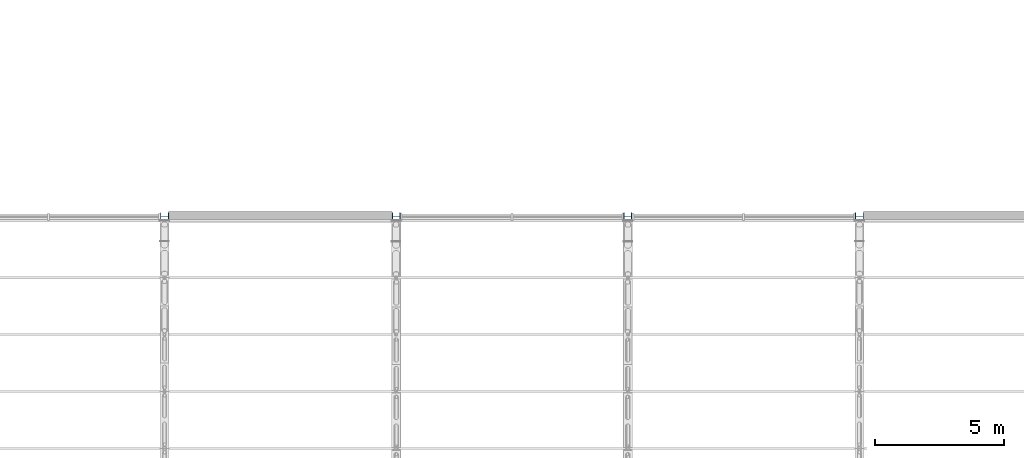
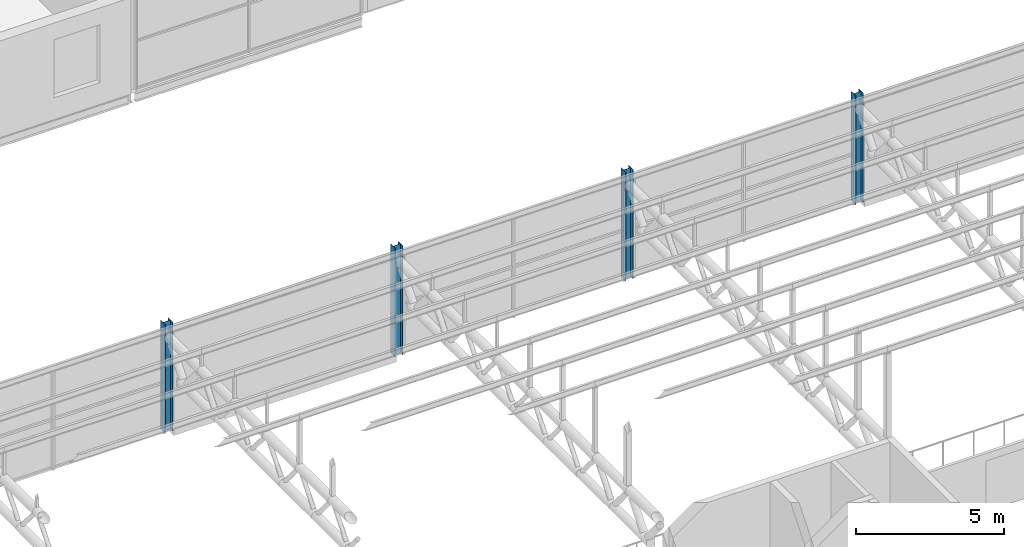
# One storey, part 4 of 138: 4 columns.
"""IFC4 building model written with IfcOpenShell, lengths in metres."""

import ifcopenshell
import ifcopenshell.guid

model = None  # the IFC model being written
_history = None  # IfcOwnerHistory: only IFC2X3 demands one
_inside = {}  # id of a spatial element -> (the spatial element, [elements in it])
_under = {}  # id of a project, library or spatial element -> (it, [spatial elements below it])
_declared = {}  # id of a project -> (the project, [libraries it declares])
_typed = {}  # id of a type object -> (the type object, [elements of that type])
_made_of = {}  # id of a material, layer set ... -> (it, [elements and type objects made of it])


def new_model(schema):
    """Start an empty IFC model of exactly this schema.

    Asked for "IFC4X3", IfcOpenShell would pick the latest addendum, in which some entities
    have other attributes; the version numbers below select the first issue.
    IFC2X3 requires an IfcOwnerHistory on every rooted entity: one is made here for all.
    """
    global model, _history
    if schema == "IFC4X3":
        model = ifcopenshell.file(schema_version=(4, 3, 0, 0))
    else:
        model = ifcopenshell.file(schema=schema)
    _inside.clear()
    _under.clear()
    _declared.clear()
    _typed.clear()
    _made_of.clear()
    _history = None
    if model.schema == "IFC2X3":
        org = make("IfcOrganization", Name="unknown")
        user = make(
            "IfcPersonAndOrganization",
            ThePerson=make("IfcPerson", FamilyName="unknown"),
            TheOrganization=org,
        )
        app = make(
            "IfcApplication",
            ApplicationDeveloper=org,
            Version="unknown",
            ApplicationFullName="unknown",
            ApplicationIdentifier="unknown",
        )
        _history = make(
            "IfcOwnerHistory",
            OwningUser=user,
            OwningApplication=app,
            ChangeAction="ADDED",
            CreationDate=0,
        )
    return model


def make(cls, **values):
    """One entity of the class cls with the attributes given. An attribute that is None is left unset."""
    return model.create_entity(
        cls, **{name: value for name, value in values.items() if value is not None}
    )


def rooted(cls, **values):
    """An entity with a GlobalId (a new one), such as an element, a storey or a relation."""
    return make(cls, GlobalId=ifcopenshell.guid.new(), OwnerHistory=_history, **values)


def si_unit(unit_type, name, prefix=None):
    """IfcSIUnit, for example si_unit("LENGTHUNIT", "METRE", prefix="MILLI")."""
    return make("IfcSIUnit", UnitType=unit_type, Prefix=prefix, Name=name)


def assignment(units):
    """IfcUnitAssignment: the units of a project."""
    return None if units is None else make("IfcUnitAssignment", Units=units)


def point(xyz):
    """IfcCartesianPoint."""
    return None if xyz is None else make("IfcCartesianPoint", Coordinates=xyz)


def direction(xyz):
    """IfcDirection."""
    return None if xyz is None else make("IfcDirection", DirectionRatios=xyz)


def frame(location, z_axis=None, x_axis=None):
    """IfcAxis2Placement3D, a coordinate frame: its origin and axes. An axis left out is left unset."""
    return make(
        "IfcAxis2Placement3D",
        Location=point(location),
        Axis=direction(z_axis),
        RefDirection=direction(x_axis),
    )


def frame_2d(location, x_axis=None):
    """IfcAxis2Placement2D, a coordinate frame in the plane: its origin and x axis."""
    return make(
        "IfcAxis2Placement2D", Location=point(location), RefDirection=direction(x_axis)
    )


def origin():
    """The frame at (0, 0, 0) with its axes left unset."""
    return frame((0.0, 0.0, 0.0))


def origin_2d():
    """The frame at (0, 0) in the plane with its x axis left unset."""
    return frame_2d((0.0, 0.0))


def place(relative_to, where):
    """IfcLocalPlacement: puts the frame where relative to a parent placement (None: the world)."""
    return make(
        "IfcLocalPlacement", PlacementRelTo=relative_to, RelativePlacement=where
    )


def context(
    kind, dimensions, precision=None, world=None, true_north=None, identifier=None
):
    """IfcGeometricRepresentationContext, for example the 3D "Model" context."""
    return make(
        "IfcGeometricRepresentationContext",
        ContextIdentifier=identifier,
        ContextType=kind,
        CoordinateSpaceDimension=dimensions,
        Precision=precision,
        WorldCoordinateSystem=world,
        TrueNorth=true_north,
    )


def subcontext(parent, identifier, kind, view, scale=None):
    """IfcGeometricRepresentationSubContext, for example "Body" below "Model"."""
    return make(
        "IfcGeometricRepresentationSubContext",
        ContextIdentifier=identifier,
        ContextType=kind,
        ParentContext=parent,
        TargetScale=scale,
        TargetView=view,
    )


def project(units=None, contexts=None):
    """IfcProject with its units and contexts."""
    return rooted(
        "IfcProject",
        Name="project",
        RepresentationContexts=contexts,
        UnitsInContext=assignment(units),
    )


def spatial(cls, under=None, at=None, **own):
    """A site, building, storey or space (cls), placed at a placement, below another one or the project."""
    s = rooted(cls, ObjectPlacement=at, **own)
    if under is not None:
        _under.setdefault(under.id(), (under, []))[1].append(s)
    return s


def profile(cls, at=None, kind="AREA", **sizes):
    """A parametric profile (cls). Its sizes go by their IFC names, for example OverallWidth=200.0."""
    return make(cls, ProfileType=kind, Position=at, **sizes)


def i_section(**sizes):
    """IfcIShapeProfileDef."""
    return profile("IfcIShapeProfileDef", **sizes)


def extrude(swept, where, along, depth):
    """IfcExtrudedAreaSolid: the profile swept, set in the frame where, extruded along a direction by depth."""
    return make(
        "IfcExtrudedAreaSolid",
        SweptArea=swept,
        Position=where,
        ExtrudedDirection=direction(along),
        Depth=depth,
    )


def shape(context_of_items, identifier, shape_type, items):
    """IfcShapeRepresentation: the items that make up one representation, for example the "Body"."""
    return make(
        "IfcShapeRepresentation",
        ContextOfItems=context_of_items,
        RepresentationIdentifier=identifier,
        RepresentationType=shape_type,
        Items=items,
    )


def material(Name=None, Category=None):
    """IfcMaterial."""
    return make("IfcMaterial", Name=Name, Category=Category)


def material_profile(
    of_material, cross_section, Name=None, Category=None, Priority=None
):
    """IfcMaterialProfile: a cross section and its material."""
    return make(
        "IfcMaterialProfile",
        Name=Name,
        Material=of_material,
        Profile=cross_section,
        Priority=Priority,
        Category=Category,
    )


def profile_set(profiles, Name=None, composite=None):
    """IfcMaterialProfileSet."""
    return make(
        "IfcMaterialProfileSet",
        Name=Name,
        MaterialProfiles=profiles,
        CompositeProfile=composite,
    )


def made_of(thing, what):
    """Note that an element or type object is made of a material, layer set ...; save() writes the relation."""
    if what is not None:
        _made_of.setdefault(what.id(), (what, []))[1].append(thing)
    return thing


def type_object(cls, material=None, **own):
    """A type object (cls), such as IfcWallType, which elements share."""
    return made_of(rooted(cls, **own), material)


def element(
    cls,
    number,
    at=None,
    inside=None,
    cuts=None,
    type_object=None,
    material=None,
    context=None,
    identifier="Body",
    shape_type=None,
    held_by="IfcProductDefinitionShape",
    body=None,
    shapes=None,
    **own,
):
    """One element of the class cls, such as IfcWall. Its Tag is "e" and its number.

    at: its placement. inside: the storey or other place that contains it. cuts: it is an
    opening in that element (IfcRelVoidsElement). A single representation is given by context,
    identifier, shape_type and body (its items); several are given by shapes. held_by: the class
    of the entity that holds the representations. save() writes the other relations.
    """
    e = rooted(cls, Tag="e%d" % number, ObjectPlacement=at, **own)
    if body is not None:
        shapes = [shape(context, identifier, shape_type, body)]
    if shapes is not None:
        e.Representation = make(held_by, Representations=shapes)
    if inside is not None:
        _inside.setdefault(inside.id(), (inside, []))[1].append(e)
    if cuts is not None:
        rooted(
            "IfcRelVoidsElement", RelatingBuildingElement=cuts, RelatedOpeningElement=e
        )
    if type_object is not None:
        _typed.setdefault(type_object.id(), (type_object, []))[1].append(e)
    return made_of(e, material)


def aggregate(whole, parts):
    """IfcRelAggregates: a whole, such as a stair, and the parts it consists of."""
    return rooted("IfcRelAggregates", RelatingObject=whole, RelatedObjects=parts)


def save(model, path):
    """Write the relations noted so far, then the file.

    IfcRelAggregates (storeys below a building ...), IfcRelContainedInSpatialStructure (elements
    in a storey), IfcRelDefinesByType, IfcRelAssociatesMaterial and IfcRelDeclares: one each for
    every whole, place, type object, material and project.
    """
    for whole, parts in _under.values():
        aggregate(whole, parts)
    for where, things in _inside.values():
        rooted(
            "IfcRelContainedInSpatialStructure",
            RelatedElements=things,
            RelatingStructure=where,
        )
    for kind, things in _typed.values():
        rooted("IfcRelDefinesByType", RelatedObjects=things, RelatingType=kind)
    for what, things in _made_of.values():
        rooted("IfcRelAssociatesMaterial", RelatedObjects=things, RelatingMaterial=what)
    for by, libraries in _declared.values():
        rooted("IfcRelDeclares", RelatingContext=by, RelatedDefinitions=libraries)
    model.write(path)


model = new_model("IFC4")

# Units and contexts
model_context = context("Model", 3, precision=1e-05, world=origin(), true_north=direction((0.0, 1.0)))
body_context = subcontext(model_context, "Body", "Model", "MODEL_VIEW")
ifc_project = project(units=[si_unit("LENGTHUNIT", "METRE"), si_unit("AREAUNIT", "SQUARE_METRE"), si_unit("VOLUMEUNIT", "CUBIC_METRE"), si_unit("PLANEANGLEUNIT", "RADIAN"), si_unit("MASSUNIT", "GRAM", prefix="KILO")], contexts=[model_context])

# Site, building, storey
site_placement = place(None, origin())
site = spatial("IfcSite", under=ifc_project, at=site_placement, CompositionType="ELEMENT")
building_placement = place(site_placement, origin())
building = spatial("IfcBuilding", under=site, at=building_placement, Name="Corbel Yard City Hall", CompositionType="ELEMENT")
storey_placement = place(building_placement, frame((0.0, 0.0, 10.5)))
storey = spatial("IfcBuildingStorey", under=building, at=storey_placement, Name="L02", CompositionType="ELEMENT", Elevation=10.5)

# Columns
ifc_material = material(Name="Steel Grade 300 (300 MPa yield)", Category="steel")
ifc_material_profile = material_profile(ifc_material, i_section(OverallWidth=0.304931640625, OverallDepth=0.30810546875, WebThickness=0.010009765625, FlangeThickness=0.015380859375, at=origin_2d()), Name="310UC96.8")
ifc_profile_set = profile_set([ifc_material_profile], Name="Steel Grade 300 (300 MPa yield)")
column_type = type_object("IfcColumnType", Name="Column 310UC96.8", PredefinedType="COLUMN", material=ifc_profile_set)
for number, where, z_axis, x_axis, name in (
    (1, (36.0, 27.0, 0.0), (0.0, 0.0, 1.0), (0.0, 1.0, 0.0), "Column 310UC96.8 D/5 L02"),
    (2, (45.0, 27.0, 0.0), (0.0, 0.0, 1.0), (0.0, 1.0, 0.0), "Column 310UC96.8 D/6 L02"),
    (3, (54.0, 27.0, 0.0), (0.0, 0.0, 1.0), (0.0, 1.0, 0.0), "Column 310UC96.8 D/7 L02"),
    (4, (63.0, 27.0, 0.0), (0.0, 0.0, 1.0), (0.0, 1.0, 0.0), "Column 310UC96.8 D/8 L02"),
):
    element("IfcColumn", number, at=place(storey_placement, frame(where, z_axis=z_axis, x_axis=x_axis)), inside=storey, type_object=column_type, Name=name, PredefinedType="COLUMN", context=body_context, shape_type="SweptSolid", body=[
        extrude(i_section(OverallWidth=0.304931640625, OverallDepth=0.30810546875, WebThickness=0.010009765625, FlangeThickness=0.015380859375, at=origin_2d()), origin(), (0.0, 0.0, 1.0), 4.5),
    ])

save(model, "model.ifc")
